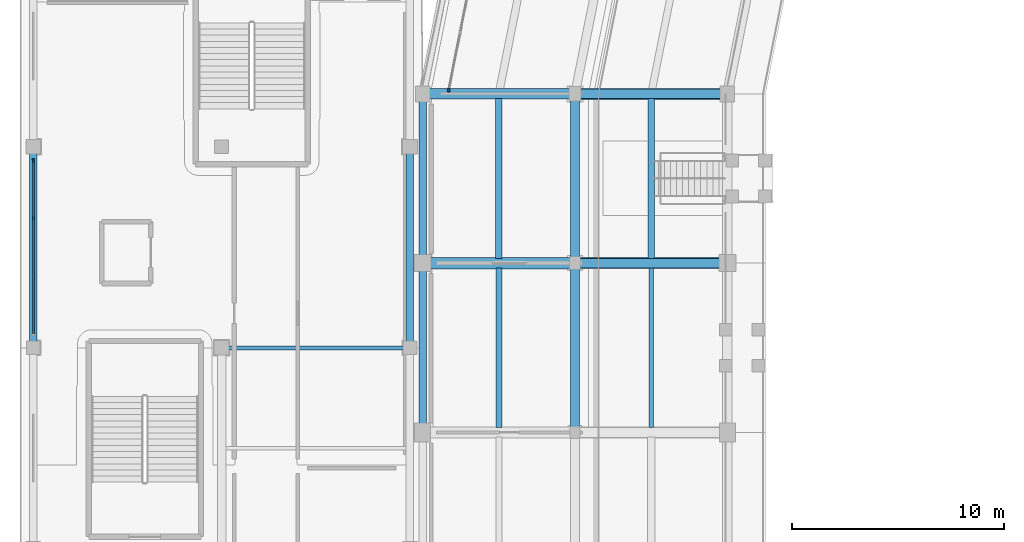
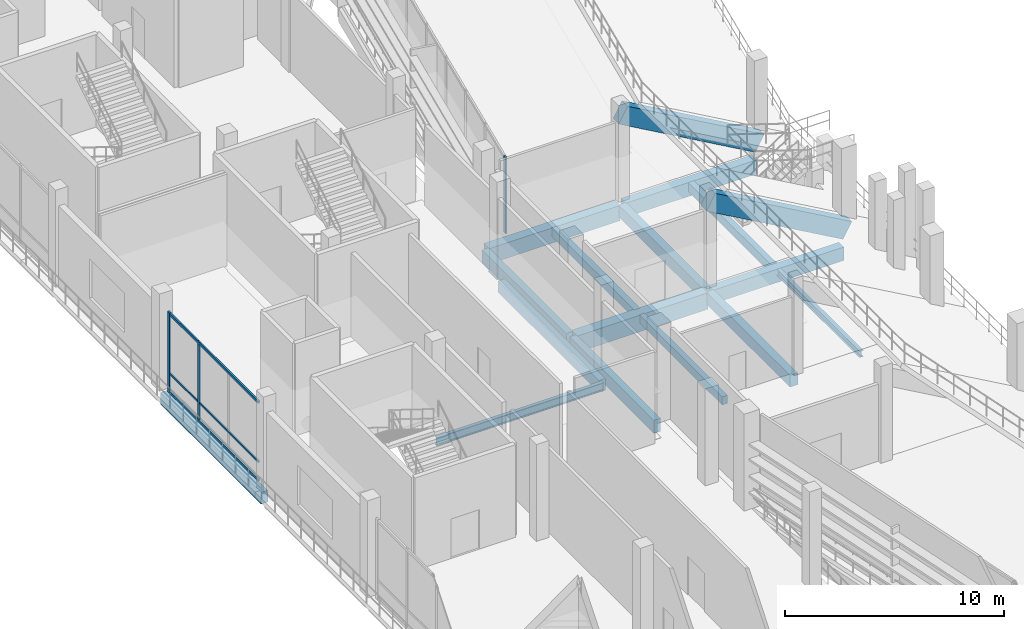
# One storey, part 27 of 127: 17 beams, 6 members, 2 elements without a shape of their own.
"""IFC4 building model written with IfcOpenShell, lengths in metres."""

from ifc_helpers import new_model, si_unit, direction, frame, origin, origin_2d, place, context, subcontext, project, spatial, rectangle, i_section, extrude, material, material_profile, profile_set, type_object, element, aggregate, save


model = new_model("IFC4")

# Units and contexts
model_context = context("Model", 3, precision=1e-05, world=origin(), true_north=direction((0.0, 1.0)))
body_context = subcontext(model_context, "Body", "Model", "MODEL_VIEW")
ifc_project = project(units=[si_unit("LENGTHUNIT", "METRE"), si_unit("AREAUNIT", "SQUARE_METRE"), si_unit("VOLUMEUNIT", "CUBIC_METRE"), si_unit("PLANEANGLEUNIT", "RADIAN"), si_unit("MASSUNIT", "GRAM", prefix="KILO")], contexts=[model_context])

# Site, building, storey
site_placement = place(None, origin())
site = spatial("IfcSite", under=ifc_project, at=site_placement, CompositionType="ELEMENT")
building_placement = place(site_placement, origin())
building = spatial("IfcBuilding", under=site, at=building_placement, Name="Candeia Ridge Stadium", CompositionType="ELEMENT")
storey_placement = place(building_placement, frame((0.0, 0.0, 10.800048828125)))
storey = spatial("IfcBuildingStorey", under=building, at=storey_placement, Name="L02", CompositionType="ELEMENT", Elevation=10.800048828125)

# Beams
ifc_material_1 = material(Name="Concrete C45/55", Category="concrete")
ifc_material_profile_1 = material_profile(ifc_material_1, rectangle(XDim=0.449951171875, YDim=0.75, at=origin_2d()), Name="RC450x750", Category="concrete")
ifc_profile_set_1 = profile_set([ifc_material_profile_1], Name="Concrete C45/55")
beam_type_1 = type_object("IfcBeamType", Name="Bowl Radial Girder RC450x750", PredefinedType="BEAM", material=ifc_profile_set_1)
beam_1_placement = place(storey_placement, frame((33.239990234375, 87.0, -0.635009765625), z_axis=(-1.0, 0.0, 0.0), x_axis=(0.0, -1.0, 0.0)))
element("IfcBeam", 1, at=beam_1_placement, inside=storey, type_object=beam_type_1, Name="Bowl radial girder BM-L02-0265", PredefinedType="BEAM", context=body_context, shape_type="SweptSolid", body=[
    extrude(rectangle(XDim=0.449951171875, YDim=0.75, at=origin_2d()), origin(), (0.0, 0.0, 1.0), 6.8798828125),
])
ifc_material_2 = material(Name="Steel ASTM A572 Grade 50", Category="steel")
ifc_material_profile_2 = material_profile(ifc_material_2, i_section(OverallWidth=0.205078125, OverallDepth=0.35400390625, WebThickness=0.009521484375, FlangeThickness=0.016845703125, FilletRadius=0.014892578125, at=origin_2d()), Name="W360x79", Category="steel")
ifc_profile_set_2 = profile_set([ifc_material_profile_2], Name="Steel ASTM A572 Grade 50")
beam_type_2 = type_object("IfcBeamType", Name="Concourse Secondary Joist W360x79", PredefinedType="JOIST", material=ifc_profile_set_2)
beam_2_placement = place(storey_placement, frame((29.800048828125, 86.778076171875, -0.43701171875), z_axis=(0.0, -1.0, 0.0), x_axis=(1.0, 0.0, 0.0)))
element("IfcBeam", 2, at=beam_2_placement, inside=storey, type_object=beam_type_2, Name="Concourse secondary joist BM-L02-0371", PredefinedType="JOIST", context=body_context, shape_type="SweptSolid", body=[
    extrude(i_section(OverallWidth=0.205078125, OverallDepth=0.35400390625, WebThickness=0.009521484375, FlangeThickness=0.016845703125, FilletRadius=0.014892578125, at=origin_2d()), origin(), (0.0, 0.0, 1.0), 7.55615234375),
])

# Curtain wall, member
ifc_material_3 = material(Name="Aluminium Anodized Warm Bronze", Category="aluminium")
curtain_wall_type_1 = type_object("IfcCurtainWallType", Name="Concourse Recessed Unitised Curtain Wall", PredefinedType="NOTDEFINED", material=ifc_material_3)
curtain_wall_1_placement = place(storey_placement, origin())
curtain_wall_1 = element("IfcCurtainWall", 3, at=curtain_wall_1_placement, inside=storey, type_object=curtain_wall_type_1, Name="Unitised curtain wall CW-BWL-L02-10", PredefinedType="NOTDEFINED")
ifc_material_profile_3 = material_profile(ifc_material_3, rectangle(XDim=0.090087890625, YDim=0.179931640625, at=origin_2d()), Name="CWM-90x180", Category="aluminium")
ifc_profile_set_3 = profile_set([ifc_material_profile_3], Name="Aluminium Anodized Warm Bronze")
member_type_1 = type_object("IfcMemberType", Name="Curtain Wall Primary Mullion 90x180", PredefinedType="MULLION", material=ifc_profile_set_3)
member_1_placement = place(storey_placement, frame((20.235107421875, 95.176513671875, 0.0), z_axis=(0.0, 0.0, 1.0), x_axis=(1.0, 0.0, 0.0)))
member_1 = element("IfcMember", 4, at=member_1_placement, type_object=member_type_1, Name="Curtain wall mullion CW-BWL-L02-10-M7", PredefinedType="MULLION", context=body_context, shape_type="SweptSolid", body=[
    extrude(rectangle(XDim=0.090087890625, YDim=0.179931640625, at=origin_2d()), origin(), (0.0, 0.0, 1.0), 4.2548828125),
])
aggregate(curtain_wall_1, [member_1])

# Curtain wall, members
curtain_wall_type_2 = type_object("IfcCurtainWallType", Name="Cardinal Entrance Gate Tall Glazed Curtain Wall", PredefinedType="NOTDEFINED", material=ifc_material_3)
curtain_wall_2_placement = place(storey_placement, origin())
curtain_wall_2 = element("IfcCurtainWall", 5, at=curtain_wall_2_placement, inside=storey, type_object=curtain_wall_type_2, Name="Unitised curtain wall CW-WNG-L02-084", PredefinedType="NOTDEFINED")
member_2_placement = place(storey_placement, frame((0.60009765625, 91.840087890625, 0.0), z_axis=(0.0, 0.0, 1.0), x_axis=(1.0, 0.0, 0.0)))
member_2 = element("IfcMember", 6, at=member_2_placement, type_object=member_type_1, Name="Curtain wall mullion CW-WNG-L02-084-M3", PredefinedType="MULLION", context=body_context, shape_type="SweptSolid", body=[
    extrude(rectangle(XDim=0.090087890625, YDim=0.179931640625, at=origin_2d()), origin(), (0.0, 0.0, 1.0), 4.48486328125),
])
ifc_material_profile_4 = material_profile(ifc_material_3, rectangle(XDim=0.074951171875, YDim=0.14990234375, at=origin_2d()), Name="CWM-75x150", Category="aluminium")
ifc_profile_set_4 = profile_set([ifc_material_profile_4], Name="Aluminium Anodized Warm Bronze")
member_type_2 = type_object("IfcMemberType", Name="Curtain Wall Secondary Mullion 75x150", PredefinedType="MULLION", material=ifc_profile_set_4)
member_3_placement = place(storey_placement, frame((0.60009765625, 89.11328125, 0.0), z_axis=(0.0, 0.0, 1.0), x_axis=(1.0, 0.0, 0.0)))
member_3 = element("IfcMember", 7, at=member_3_placement, type_object=member_type_2, Name="Curtain wall mullion CW-WNG-L02-084-M2", PredefinedType="MULLION", context=body_context, shape_type="SweptSolid", body=[
    extrude(rectangle(XDim=0.074951171875, YDim=0.14990234375, at=origin_2d()), origin(), (0.0, 0.0, 1.0), 4.48486328125),
])
ifc_material_profile_5 = material_profile(ifc_material_3, rectangle(XDim=0.074951171875, YDim=0.110107421875, at=origin_2d()), Name="CWT-75x110", Category="aluminium")
ifc_profile_set_5 = profile_set([ifc_material_profile_5], Name="Aluminium Anodized Warm Bronze")
member_type_3 = type_object("IfcMemberType", Name="Curtain Wall Secondary Transom 75x110", PredefinedType="USERDEFINED", material=ifc_profile_set_5)
member_4_placement = place(storey_placement, frame((0.60009765625, 83.659912109375, 1.099853515625), z_axis=(0.0, 1.0, 0.0), x_axis=(-1.0, 0.0, 0.0)))
member_4 = element("IfcMember", 8, at=member_4_placement, type_object=member_type_3, Name="Curtain wall transom CW-WNG-L02-084-T1", ObjectType="TRANSOM", PredefinedType="USERDEFINED", context=body_context, shape_type="SweptSolid", body=[
    extrude(rectangle(XDim=0.074951171875, YDim=0.110107421875, at=origin_2d()), origin(), (0.0, 0.0, 1.0), 8.18017578125),
])
ifc_material_profile_6 = material_profile(ifc_material_3, rectangle(XDim=0.090087890625, YDim=0.139892578125, at=origin_2d()), Name="CWT-90x140", Category="aluminium")
ifc_profile_set_6 = profile_set([ifc_material_profile_6], Name="Aluminium Anodized Warm Bronze")
member_type_4 = type_object("IfcMemberType", Name="Curtain Wall Transom 90x140", PredefinedType="USERDEFINED", material=ifc_profile_set_6)
member_5_placement = place(storey_placement, frame((0.60009765625, 83.659912109375, 0.070068359375), z_axis=(0.0, 1.0, 0.0), x_axis=(-1.0, 0.0, 0.0)))
member_5 = element("IfcMember", 9, at=member_5_placement, type_object=member_type_4, Name="Curtain wall transom CW-WNG-L02-084-T0", ObjectType="TRANSOM", PredefinedType="USERDEFINED", context=body_context, shape_type="SweptSolid", body=[
    extrude(rectangle(XDim=0.090087890625, YDim=0.139892578125, at=origin_2d()), origin(), (0.0, 0.0, 1.0), 8.18017578125),
])
member_6_placement = place(storey_placement, frame((0.60009765625, 83.659912109375, 4.4150390625), z_axis=(0.0, 1.0, 0.0), x_axis=(-1.0, 0.0, 0.0)))
member_6 = element("IfcMember", 10, at=member_6_placement, type_object=member_type_4, Name="Curtain wall transom CW-WNG-L02-084-T2", ObjectType="TRANSOM", PredefinedType="USERDEFINED", context=body_context, shape_type="SweptSolid", body=[
    extrude(rectangle(XDim=0.090087890625, YDim=0.139892578125, at=origin_2d()), origin(), (0.0, 0.0, 1.0), 8.18017578125),
])
aggregate(curtain_wall_2, [member_3, member_2, member_5, member_4, member_6])

# Beams
ifc_material_4 = material(Name="Concrete C40/50", Category="concrete")
ifc_material_profile_7 = material_profile(ifc_material_4, rectangle(XDim=0.280029296875, YDim=0.4599609375, at=origin_2d()), Name="RC280x460", Category="concrete")
ifc_profile_set_7 = profile_set([ifc_material_profile_7], Name="Concrete C40/50")
beam_type_3 = type_object("IfcBeamType", Name="Floor Joist RC280x460", PredefinedType="JOIST", material=ifc_profile_set_7)
beam_3_placement = place(storey_placement, frame((22.60009765625, 86.778076171875, -0.489990234375), z_axis=(0.0, -1.0, 0.0), x_axis=(1.0, 0.0, 0.0)))
element("IfcBeam", 11, at=beam_3_placement, inside=storey, type_object=beam_type_3, Name="Concourse secondary joist BM-L02-0372", PredefinedType="JOIST", context=body_context, shape_type="SweptSolid", body=[
    extrude(rectangle(XDim=0.280029296875, YDim=0.4599609375, at=origin_2d()), origin(), (0.0, 0.0, 1.0), 7.55615234375),
])
ifc_material_profile_8 = material_profile(ifc_material_4, rectangle(XDim=0.31005859375, YDim=0.489990234375, at=origin_2d()), Name="RC310x490", Category="concrete")
ifc_profile_set_8 = profile_set([ifc_material_profile_8], Name="Concrete C40/50")
beam_type_4 = type_object("IfcBeamType", Name="Floor Joist RC310x490", PredefinedType="JOIST", material=ifc_profile_set_8)
beam_4_placement = place(storey_placement, frame((29.800048828125, 94.778076171875, -0.505126953125), z_axis=(0.0, -1.0, 0.0), x_axis=(1.0, 0.0, 0.0)))
element("IfcBeam", 12, at=beam_4_placement, inside=storey, type_object=beam_type_4, Name="Concourse secondary joist BM-L02-0366", PredefinedType="JOIST", context=body_context, shape_type="SweptSolid", body=[
    extrude(rectangle(XDim=0.31005859375, YDim=0.489990234375, at=origin_2d()), origin(), (0.0, 0.0, 1.0), 7.55615234375),
])
ifc_material_profile_9 = material_profile(ifc_material_4, rectangle(XDim=0.320068359375, YDim=0.47998046875, at=origin_2d()), Name="RC320x480", Category="concrete")
ifc_profile_set_9 = profile_set([ifc_material_profile_9], Name="Concrete C40/50")
beam_type_5 = type_object("IfcBeamType", Name="Floor Joist RC320x480", PredefinedType="JOIST", material=ifc_profile_set_9)
beam_5_placement = place(storey_placement, frame((22.60009765625, 94.778076171875, -0.5), z_axis=(0.0, -1.0, 0.0), x_axis=(1.0, 0.0, 0.0)))
element("IfcBeam", 13, at=beam_5_placement, inside=storey, type_object=beam_type_5, Name="Concourse secondary joist BM-L02-0367", PredefinedType="JOIST", context=body_context, shape_type="SweptSolid", body=[
    extrude(rectangle(XDim=0.320068359375, YDim=0.47998046875, at=origin_2d()), origin(), (0.0, 0.0, 1.0), 7.55615234375),
])
ifc_material_profile_10 = material_profile(ifc_material_4, rectangle(XDim=0.409912109375, YDim=0.659912109375, at=origin_2d()), Name="RC410x660", Category="concrete")
ifc_profile_set_10 = profile_set([ifc_material_profile_10], Name="Concrete C40/50")
beam_type_6 = type_object("IfcBeamType", Name="Frame Girder RC410x660", PredefinedType="BEAM", material=ifc_profile_set_10)
for number, where, z_axis, x_axis, name in (
    (14, (26.199951171875, 94.840087890625, -0.590087890625), (0.0, -1.0, 0.0), (1.0, 0.0, 0.0), "Concourse spine girder BM-L02-0364"),
    (15, (26.199951171875, 86.840087890625, -0.590087890625), (0.0, -1.0, 0.0), (1.0, 0.0, 0.0), "Concourse spine girder BM-L02-0369"),
):
    element("IfcBeam", number, at=place(storey_placement, frame(where, z_axis=z_axis, x_axis=x_axis)), inside=storey, type_object=beam_type_6, Name=name, PredefinedType="BEAM", context=body_context, shape_type="SweptSolid", body=[
        extrude(rectangle(XDim=0.409912109375, YDim=0.659912109375, at=origin_2d()), origin(), (0.0, 0.0, 1.0), 7.68017578125),
    ])
ifc_material_profile_11 = material_profile(ifc_material_4, rectangle(XDim=0.4599609375, YDim=0.780029296875, at=origin_2d()), Name="RC460x780", Category="concrete")
ifc_profile_set_11 = profile_set([ifc_material_profile_11], Name="Concrete C40/50")
beam_type_7 = type_object("IfcBeamType", Name="Frame Girder RC460x780", PredefinedType="BEAM", material=ifc_profile_set_11)
beam_6_placement = place(storey_placement, frame((33.239990234375, 95.0, -0.650146484375), z_axis=(-1.0, 0.0, 0.0), x_axis=(0.0, -1.0, 0.0)))
element("IfcBeam", 16, at=beam_6_placement, inside=storey, type_object=beam_type_7, Name="Bowl radial girder BM-L02-0263", PredefinedType="BEAM", context=body_context, shape_type="SweptSolid", body=[
    extrude(rectangle(XDim=0.4599609375, YDim=0.780029296875, at=origin_2d()), origin(), (0.0, 0.0, 1.0), 6.8798828125),
])
ifc_material_profile_12 = material_profile(ifc_material_1, rectangle(XDim=0.5, YDim=0.85009765625, at=origin_2d()), Name="RC500x850", Category="concrete")
ifc_profile_set_12 = profile_set([ifc_material_profile_12], Name="Concrete C45/55")
beam_type_8 = type_object("IfcBeamType", Name="Frame Girder RC500x850", PredefinedType="BEAM", material=ifc_profile_set_12)
beam_7_placement = place(storey_placement, frame((26.0400390625, 95.0, -0.68505859375), z_axis=(-1.0, 0.0, 0.0), x_axis=(0.0, -1.0, 0.0)))
element("IfcBeam", 17, at=beam_7_placement, inside=storey, type_object=beam_type_8, Name="Bowl radial girder BM-L02-0264", PredefinedType="BEAM", context=body_context, shape_type="SweptSolid", body=[
    extrude(rectangle(XDim=0.5, YDim=0.85009765625, at=origin_2d()), origin(), (0.0, 0.0, 1.0), 6.880126953125),
])
ifc_material_profile_13 = material_profile(ifc_material_1, rectangle(XDim=0.550048828125, YDim=0.919921875, at=origin_2d()), Name="RC550x920", Category="concrete")
ifc_profile_set_13 = profile_set([ifc_material_profile_13], Name="Concrete C45/55")
beam_type_9 = type_object("IfcBeamType", Name="Frame Girder RC550x920", PredefinedType="BEAM", material=ifc_profile_set_13)
beam_8_placement = place(storey_placement, frame((26.0400390625, 87.0, -0.719970703125), z_axis=(-1.0, 0.0, 0.0), x_axis=(0.0, -1.0, 0.0)))
element("IfcBeam", 18, at=beam_8_placement, inside=storey, type_object=beam_type_9, Name="Bowl radial girder BM-L02-0266", PredefinedType="BEAM", context=body_context, shape_type="SweptSolid", body=[
    extrude(rectangle(XDim=0.550048828125, YDim=0.919921875, at=origin_2d()), origin(), (0.0, 0.0, 1.0), 6.880126953125),
])
ifc_material_profile_14 = material_profile(ifc_material_2, i_section(OverallWidth=0.18994140625, OverallDepth=0.45703125, WebThickness=0.009033203125, FlangeThickness=0.014404296875, FilletRadius=0.012939453125, at=origin_2d()), Name="W460x74", Category="steel")
ifc_profile_set_14 = profile_set([ifc_material_profile_14], Name="Steel ASTM A572 Grade 50")
beam_type_10 = type_object("IfcBeamType", Name="Pavilion Steel Girder W460x74", PredefinedType="BEAM", material=ifc_profile_set_14)
beam_9_placement = place(storey_placement, frame((9.550048828125, 83.0, -0.488525390625), z_axis=(1.0, 0.0, 0.0), x_axis=(0.0, 1.0, 0.0)))
element("IfcBeam", 19, at=beam_9_placement, inside=storey, type_object=beam_type_10, Name="Structural girder BM-L02-1182", PredefinedType="BEAM", context=body_context, shape_type="SweptSolid", body=[
    extrude(i_section(OverallWidth=0.18994140625, OverallDepth=0.45703125, WebThickness=0.009033203125, FlangeThickness=0.014404296875, FilletRadius=0.012939453125, at=origin_2d()), origin(), (0.0, 0.0, 1.0), 8.800048828125),
])
ifc_material_profile_15 = material_profile(ifc_material_4, rectangle(XDim=0.35009765625, YDim=0.64990234375, at=origin_2d()), Name="RC350x650", Category="concrete")
ifc_profile_set_15 = profile_set([ifc_material_profile_15], Name="Concrete C40/50")
beam_type_11 = type_object("IfcBeamType", Name="Spandrel Beam RC350x650", PredefinedType="SPANDREL", material=ifc_profile_set_15)
for number, where, z_axis, x_axis, name in (
    (20, (0.60009765625, 83.159912109375, -0.5849609375), (0.0, 1.0, 0.0), (-1.0, 0.0, 0.0), "Structural girder BM-L02-1120"),
    (21, (18.39990234375, 83.159912109375, -0.5849609375), (0.0, 1.0, 0.0), (-1.0, 0.0, 0.0), "Structural girder BM-L02-1145"),
):
    element("IfcBeam", number, at=place(storey_placement, frame(where, z_axis=z_axis, x_axis=x_axis)), inside=storey, type_object=beam_type_11, Name=name, PredefinedType="SPANDREL", context=body_context, shape_type="SweptSolid", body=[
        extrude(rectangle(XDim=0.35009765625, YDim=0.64990234375, at=origin_2d()), origin(), (0.0, 0.0, 1.0), 9.18017578125),
    ])
ifc_material_profile_16 = material_profile(ifc_material_1, rectangle(XDim=0.360107421875, YDim=0.719970703125, at=origin_2d()), Name="RC360x720", Category="concrete")
ifc_profile_set_16 = profile_set([ifc_material_profile_16], Name="Concrete C45/55")
beam_type_12 = type_object("IfcBeamType", Name="Spandrel Beam RC360x720", PredefinedType="SPANDREL", material=ifc_profile_set_16)
for number, where, z_axis, x_axis, name in (
    (22, (19.0, 94.840087890625, -0.6201171875), (0.0, -1.0, 0.0), (1.0, 0.0, 0.0), "Bowl perimeter spandrel BM-L02-0365"),
    (23, (19.0, 86.840087890625, -0.6201171875), (0.0, -1.0, 0.0), (1.0, 0.0, 0.0), "Bowl perimeter spandrel BM-L02-0370"),
):
    element("IfcBeam", number, at=place(storey_placement, frame(where, z_axis=z_axis, x_axis=x_axis)), inside=storey, type_object=beam_type_12, Name=name, PredefinedType="SPANDREL", context=body_context, shape_type="SweptSolid", body=[
        extrude(rectangle(XDim=0.360107421875, YDim=0.719970703125, at=origin_2d()), origin(), (0.0, 0.0, 1.0), 7.68017578125),
    ])
ifc_material_profile_17 = material_profile(ifc_material_1, rectangle(XDim=0.52001953125, YDim=0.949951171875, at=origin_2d()), Name="RC520x950", Category="concrete")
ifc_profile_set_17 = profile_set([ifc_material_profile_17], Name="Concrete C45/55")
beam_type_13 = type_object("IfcBeamType", Name="Stand Raker Beam RC520x950", PredefinedType="USERDEFINED", material=ifc_profile_set_17)
for number, where, z_axis, x_axis, name in (
    (24, (33.39990234375, 95.0, 0.624267578125), (-0.869244421404, 0.0, 0.494382580455), (0.0, -1.0, 0.0), "Stand T2 inclined concrete raker beam 12"),
    (25, (33.39990234375, 87.0, 0.624267578125), (-0.869244421404, 0.0, 0.494382580455), (0.0, -1.0, 0.0), "Stand T2 inclined concrete raker beam 13"),
):
    element("IfcBeam", number, at=place(storey_placement, frame(where, z_axis=z_axis, x_axis=x_axis)), inside=storey, type_object=beam_type_13, Name=name, ObjectType="RAKER", PredefinedType="USERDEFINED", context=body_context, shape_type="SweptSolid", body=[
        extrude(rectangle(XDim=0.52001953125, YDim=0.949951171875, at=origin_2d()), origin(), (0.0, 0.0, 1.0), 8.282958984375),
    ])

save(model, "model.ifc")
